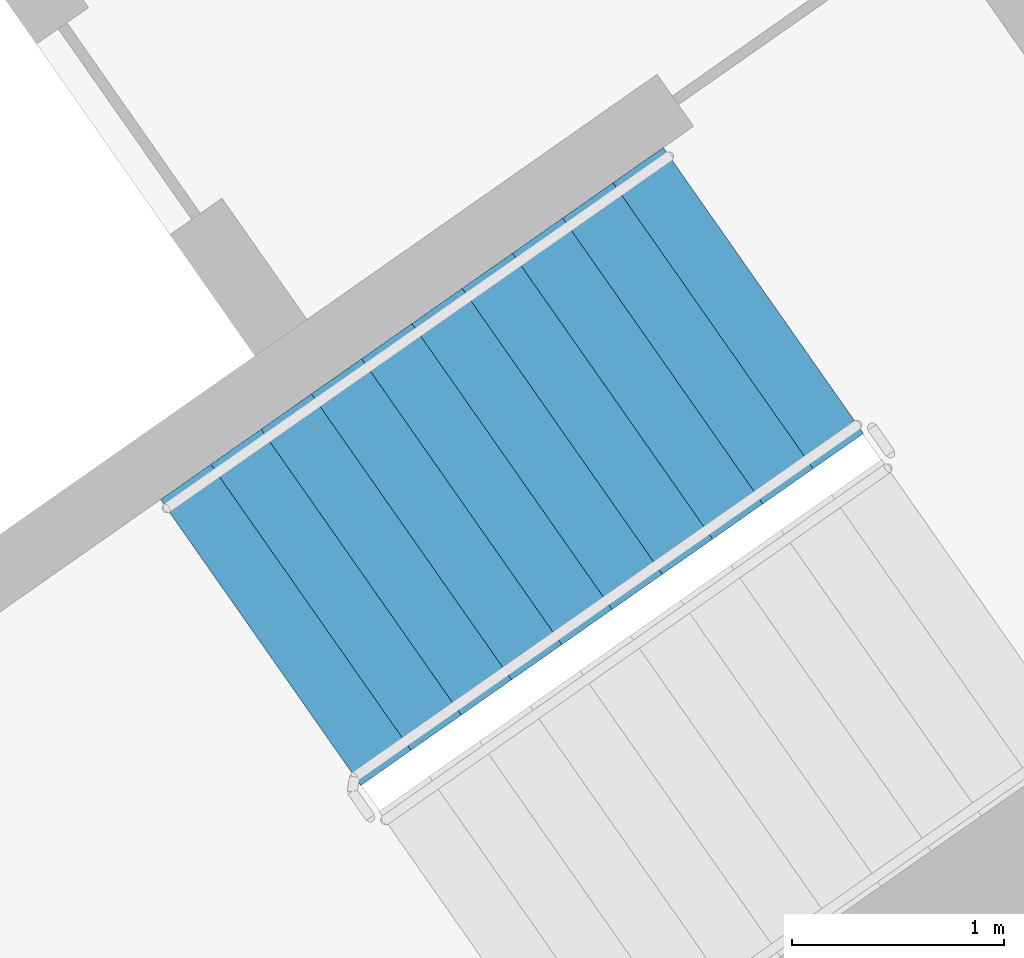
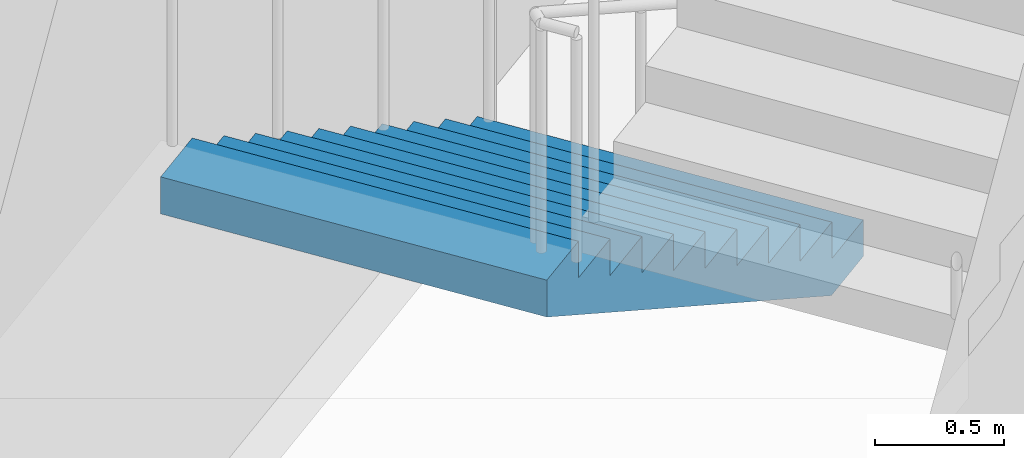
# One storey, part 15 of 28: 1 stair flight, 1 element without a shape of its own.
"""IFC4 building model written with IfcOpenShell, lengths in metres."""

from ifc_helpers import new_model, si_unit, direction, frame, origin, place, context, subcontext, project, spatial, faceted_brep, material, type_object, element, aggregate, save


model = new_model("IFC4")

# Units and contexts
model_context = context("Model", 3, precision=1e-05, world=origin(), true_north=direction((0.0, 1.0)))
body_context = subcontext(model_context, "Body", "Model", "MODEL_VIEW")
ifc_project = project(units=[si_unit("LENGTHUNIT", "METRE"), si_unit("AREAUNIT", "SQUARE_METRE"), si_unit("VOLUMEUNIT", "CUBIC_METRE"), si_unit("PLANEANGLEUNIT", "RADIAN"), si_unit("MASSUNIT", "GRAM", prefix="KILO")], contexts=[model_context])

# Site, building, storey
site_placement = place(None, origin())
site = spatial("IfcSite", under=ifc_project, at=site_placement, CompositionType="ELEMENT")
building_placement = place(site_placement, origin())
building = spatial("IfcBuilding", under=site, at=building_placement, Name="Qamariyya Broadcast Tower", CompositionType="ELEMENT")
storey_placement = place(building_placement, frame((0.0, 0.0, 277.10009765625)))
storey = spatial("IfcBuildingStorey", under=building, at=storey_placement, Name="L67", CompositionType="ELEMENT", Elevation=277.10009765625)

# Stair, stair flight
ifc_material = material(Name="Concrete C50/60", Category="concrete")
stair_type = type_object("IfcStairType", Name="Exit stair 22 risers of 173 mm", PredefinedType="HALF_TURN_STAIR", material=ifc_material)
stair_placement = place(storey_placement, origin())
stair = element("IfcStair", 1, at=stair_placement, inside=storey, type_object=stair_type, Name="L67 Stair E1", PredefinedType="HALF_TURN_STAIR")
stair_flight_type = type_object("IfcStairFlightType", Name="Exit stair flight 11 risers of 173 mm", PredefinedType="STRAIGHT", material=ifc_material)
stair_flight_placement = place(storey_placement, frame((46.036376953125, -55.508056640625, 0.0), z_axis=(0.0, 0.0, 1.0), x_axis=(-0.819152044289, -0.573576436351, 0.0)))
stair_flight = element("IfcStairFlight", 2, at=stair_flight_placement, type_object=stair_flight_type, Name="ST-E1 flight 1", NumberOfRisers=11, NumberOfTreads=10, PredefinedType="STRAIGHT", RiserHeight=0.172727273, TreadLength=0.29, context=body_context, shape_type="Brep", body=[
    faceted_brep([(0.0, 0.824951171875, 0.0), (0.0, 0.824951171875, 0.172607421875), (0.2900390625, 0.824951171875, 0.172607421875), (0.2900390625, 0.824951171875, 0.345458984375), (0.580078125, 0.824951171875, 0.345458984375), (0.580078125, 0.824951171875, 0.51806640625), (0.8701171875, 0.824951171875, 0.51806640625), (0.8701171875, 0.824951171875, 0.69091796875), (1.159912109375, 0.824951171875, 0.69091796875), (1.159912109375, 0.824951171875, 0.863525390625), (1.449951171875, 0.824951171875, 0.863525390625), (1.449951171875, 0.824951171875, 1.036376953125), (1.739990234375, 0.824951171875, 1.036376953125), (1.739990234375, 0.824951171875, 1.208984375), (2.030029296875, 0.824951171875, 1.208984375), (2.030029296875, 0.824951171875, 1.3818359375), (2.320068359375, 0.824951171875, 1.3818359375), (2.320068359375, 0.824951171875, 1.554443359375), (2.610107421875, 0.824951171875, 1.554443359375), (2.610107421875, 0.824951171875, 1.727294921875), (2.89990234375, 0.824951171875, 1.727294921875), (2.89990234375, 0.824951171875, 1.552734375), (0.29296875, 0.824951171875, 0.0), (0.29296875, -0.824951171875, 0.0), (2.89990234375, -0.824951171875, 1.552734375), (2.89990234375, -0.824951171875, 1.727294921875), (2.610107421875, -0.824951171875, 1.727294921875), (2.610107421875, -0.824951171875, 1.554443359375), (2.320068359375, -0.824951171875, 1.554443359375), (2.320068359375, -0.824951171875, 1.3818359375), (2.030029296875, -0.824951171875, 1.3818359375), (2.030029296875, -0.824951171875, 1.208984375), (1.739990234375, -0.824951171875, 1.208984375), (1.739990234375, -0.824951171875, 1.036376953125), (1.449951171875, -0.824951171875, 1.036376953125), (1.449951171875, -0.824951171875, 0.863525390625), (1.159912109375, -0.824951171875, 0.863525390625), (1.159912109375, -0.824951171875, 0.69091796875), (0.8701171875, -0.824951171875, 0.69091796875), (0.8701171875, -0.824951171875, 0.51806640625), (0.580078125, -0.824951171875, 0.51806640625), (0.580078125, -0.824951171875, 0.345458984375), (0.2900390625, -0.824951171875, 0.345458984375), (0.2900390625, -0.824951171875, 0.172607421875), (0.0, -0.824951171875, 0.172607421875), (0.0, -0.824951171875, 0.0), (0.0, 0.10009765625, 0.0), (0.0, 0.086669921875, 0.0), (0.0, 0.0732421875, 0.0), (0.0, 0.06005859375, 0.0), (0.0, 0.046630859375, 0.0), (0.0, 0.033447265625, 0.0), (0.0, 0.02001953125, 0.0), (0.0, 0.006591796875, 0.0), (0.0, -0.006591796875, 0.0), (0.0, -0.02001953125, 0.0), (0.0, -0.033447265625, 0.0), (0.0, -0.046630859375, 0.0), (0.0, -0.06005859375, 0.0), (0.0, -0.0732421875, 0.0), (0.0, -0.086669921875, 0.0), (0.0, -0.10009765625, 0.0), (0.0, -0.10009765625, 0.172607421875), (0.0, -0.086669921875, 0.172607421875), (0.0, -0.0732421875, 0.172607421875), (0.0, -0.06005859375, 0.172607421875), (0.0, -0.046630859375, 0.172607421875), (0.0, -0.033447265625, 0.172607421875), (0.0, -0.02001953125, 0.172607421875), (0.0, -0.006591796875, 0.172607421875), (0.0, 0.006591796875, 0.172607421875), (0.0, 0.02001953125, 0.172607421875), (0.0, 0.033447265625, 0.172607421875), (0.0, 0.046630859375, 0.172607421875), (0.0, 0.06005859375, 0.172607421875), (0.0, 0.0732421875, 0.172607421875), (0.0, 0.086669921875, 0.172607421875), (0.0, 0.10009765625, 0.172607421875), (0.2900390625, -0.10009765625, 0.172607421875), (0.2900390625, -0.086669921875, 0.172607421875), (0.2900390625, -0.0732421875, 0.172607421875), (0.2900390625, -0.06005859375, 0.172607421875), (0.2900390625, -0.046630859375, 0.172607421875), (0.2900390625, -0.033447265625, 0.172607421875), (0.2900390625, -0.02001953125, 0.172607421875), (0.2900390625, -0.006591796875, 0.172607421875), (0.2900390625, 0.006591796875, 0.172607421875), (0.2900390625, 0.02001953125, 0.172607421875), (0.2900390625, 0.033447265625, 0.172607421875), (0.2900390625, 0.046630859375, 0.172607421875), (0.2900390625, 0.06005859375, 0.172607421875), (0.2900390625, 0.0732421875, 0.172607421875), (0.2900390625, 0.086669921875, 0.172607421875), (0.2900390625, 0.10009765625, 0.172607421875), (0.2900390625, -0.10009765625, 0.345458984375), (0.2900390625, -0.086669921875, 0.345458984375), (0.2900390625, -0.0732421875, 0.345458984375), (0.2900390625, -0.06005859375, 0.345458984375), (0.2900390625, -0.046630859375, 0.345458984375), (0.2900390625, -0.033447265625, 0.345458984375), (0.2900390625, -0.02001953125, 0.345458984375), (0.2900390625, -0.006591796875, 0.345458984375), (0.2900390625, 0.006591796875, 0.345458984375), (0.2900390625, 0.02001953125, 0.345458984375), (0.2900390625, 0.033447265625, 0.345458984375), (0.2900390625, 0.046630859375, 0.345458984375), (0.2900390625, 0.06005859375, 0.345458984375), (0.2900390625, 0.0732421875, 0.345458984375), (0.2900390625, 0.086669921875, 0.345458984375), (0.2900390625, 0.10009765625, 0.345458984375), (0.580078125, -0.10009765625, 0.345458984375), (0.580078125, -0.086669921875, 0.345458984375), (0.580078125, -0.0732421875, 0.345458984375), (0.580078125, -0.06005859375, 0.345458984375), (0.580078125, -0.046630859375, 0.345458984375), (0.580078125, -0.033447265625, 0.345458984375), (0.580078125, -0.02001953125, 0.345458984375), (0.580078125, -0.006591796875, 0.345458984375), (0.580078125, 0.006591796875, 0.345458984375), (0.580078125, 0.02001953125, 0.345458984375), (0.580078125, 0.033447265625, 0.345458984375), (0.580078125, 0.046630859375, 0.345458984375), (0.580078125, 0.06005859375, 0.345458984375), (0.580078125, 0.0732421875, 0.345458984375), (0.580078125, 0.086669921875, 0.345458984375), (0.580078125, 0.10009765625, 0.345458984375), (0.580078125, -0.10009765625, 0.51806640625), (0.580078125, -0.086669921875, 0.51806640625), (0.580078125, -0.0732421875, 0.51806640625), (0.580078125, -0.06005859375, 0.51806640625), (0.580078125, -0.046630859375, 0.51806640625), (0.580078125, -0.033447265625, 0.51806640625), (0.580078125, -0.02001953125, 0.51806640625), (0.580078125, -0.006591796875, 0.51806640625), (0.580078125, 0.006591796875, 0.51806640625), (0.580078125, 0.02001953125, 0.51806640625), (0.580078125, 0.033447265625, 0.51806640625), (0.580078125, 0.046630859375, 0.51806640625), (0.580078125, 0.06005859375, 0.51806640625), (0.580078125, 0.0732421875, 0.51806640625), (0.580078125, 0.086669921875, 0.51806640625), (0.580078125, 0.10009765625, 0.51806640625), (0.8701171875, -0.10009765625, 0.51806640625), (0.8701171875, -0.086669921875, 0.51806640625), (0.8701171875, -0.0732421875, 0.51806640625), (0.8701171875, -0.06005859375, 0.51806640625), (0.8701171875, -0.046630859375, 0.51806640625), (0.8701171875, -0.033447265625, 0.51806640625), (0.8701171875, -0.02001953125, 0.51806640625), (0.8701171875, -0.006591796875, 0.51806640625), (0.8701171875, 0.006591796875, 0.51806640625), (0.8701171875, 0.02001953125, 0.51806640625), (0.8701171875, 0.033447265625, 0.51806640625), (0.8701171875, 0.046630859375, 0.51806640625), (0.8701171875, 0.06005859375, 0.51806640625), (0.8701171875, 0.0732421875, 0.51806640625), (0.8701171875, 0.086669921875, 0.51806640625), (0.8701171875, 0.10009765625, 0.51806640625), (0.8701171875, -0.10009765625, 0.69091796875), (0.8701171875, -0.086669921875, 0.69091796875), (0.8701171875, -0.0732421875, 0.69091796875), (0.8701171875, -0.06005859375, 0.69091796875), (0.8701171875, -0.046630859375, 0.69091796875), (0.8701171875, -0.033447265625, 0.69091796875), (0.8701171875, -0.02001953125, 0.69091796875), (0.8701171875, -0.006591796875, 0.69091796875), (0.8701171875, 0.006591796875, 0.69091796875), (0.8701171875, 0.02001953125, 0.69091796875), (0.8701171875, 0.033447265625, 0.69091796875), (0.8701171875, 0.046630859375, 0.69091796875), (0.8701171875, 0.06005859375, 0.69091796875), (0.8701171875, 0.0732421875, 0.69091796875), (0.8701171875, 0.086669921875, 0.69091796875), (0.8701171875, 0.10009765625, 0.69091796875), (1.159912109375, -0.10009765625, 0.69091796875), (1.159912109375, -0.086669921875, 0.69091796875), (1.159912109375, -0.0732421875, 0.69091796875), (1.159912109375, -0.06005859375, 0.69091796875), (1.159912109375, -0.046630859375, 0.69091796875), (1.159912109375, -0.033447265625, 0.69091796875), (1.159912109375, -0.02001953125, 0.69091796875), (1.159912109375, -0.006591796875, 0.69091796875), (1.159912109375, 0.006591796875, 0.69091796875), (1.159912109375, 0.02001953125, 0.69091796875), (1.159912109375, 0.033447265625, 0.69091796875), (1.159912109375, 0.046630859375, 0.69091796875), (1.159912109375, 0.06005859375, 0.69091796875), (1.159912109375, 0.0732421875, 0.69091796875), (1.159912109375, 0.086669921875, 0.69091796875), (1.159912109375, 0.10009765625, 0.69091796875), (1.159912109375, -0.10009765625, 0.863525390625), (1.159912109375, -0.086669921875, 0.863525390625), (1.159912109375, -0.0732421875, 0.863525390625), (1.159912109375, -0.06005859375, 0.863525390625), (1.159912109375, -0.046630859375, 0.863525390625), (1.159912109375, -0.033447265625, 0.863525390625), (1.159912109375, -0.02001953125, 0.863525390625), (1.159912109375, -0.006591796875, 0.863525390625), (1.159912109375, 0.006591796875, 0.863525390625), (1.159912109375, 0.02001953125, 0.863525390625), (1.159912109375, 0.033447265625, 0.863525390625), (1.159912109375, 0.046630859375, 0.863525390625), (1.159912109375, 0.06005859375, 0.863525390625), (1.159912109375, 0.0732421875, 0.863525390625), (1.159912109375, 0.086669921875, 0.863525390625), (1.159912109375, 0.10009765625, 0.863525390625), (1.449951171875, -0.10009765625, 0.863525390625), (1.449951171875, -0.086669921875, 0.863525390625), (1.449951171875, -0.0732421875, 0.863525390625), (1.449951171875, -0.06005859375, 0.863525390625), (1.449951171875, -0.046630859375, 0.863525390625), (1.449951171875, -0.033447265625, 0.863525390625), (1.449951171875, -0.02001953125, 0.863525390625), (1.449951171875, -0.006591796875, 0.863525390625), (1.449951171875, 0.006591796875, 0.863525390625), (1.449951171875, 0.02001953125, 0.863525390625), (1.449951171875, 0.033447265625, 0.863525390625), (1.449951171875, 0.046630859375, 0.863525390625), (1.449951171875, 0.06005859375, 0.863525390625), (1.449951171875, 0.0732421875, 0.863525390625), (1.449951171875, 0.086669921875, 0.863525390625), (1.449951171875, 0.10009765625, 0.863525390625), (1.449951171875, -0.10009765625, 1.036376953125), (1.449951171875, -0.086669921875, 1.036376953125), (1.449951171875, -0.0732421875, 1.036376953125), (1.449951171875, -0.06005859375, 1.036376953125), (1.449951171875, -0.046630859375, 1.036376953125), (1.449951171875, -0.033447265625, 1.036376953125), (1.449951171875, -0.02001953125, 1.036376953125), (1.449951171875, -0.006591796875, 1.036376953125), (1.449951171875, 0.006591796875, 1.036376953125), (1.449951171875, 0.02001953125, 1.036376953125), (1.449951171875, 0.033447265625, 1.036376953125), (1.449951171875, 0.046630859375, 1.036376953125), (1.449951171875, 0.06005859375, 1.036376953125), (1.449951171875, 0.0732421875, 1.036376953125), (1.449951171875, 0.086669921875, 1.036376953125), (1.449951171875, 0.10009765625, 1.036376953125), (1.739990234375, -0.10009765625, 1.036376953125), (1.739990234375, -0.086669921875, 1.036376953125), (1.739990234375, -0.0732421875, 1.036376953125), (1.739990234375, -0.06005859375, 1.036376953125), (1.739990234375, -0.046630859375, 1.036376953125), (1.739990234375, -0.033447265625, 1.036376953125), (1.739990234375, -0.02001953125, 1.036376953125), (1.739990234375, -0.006591796875, 1.036376953125), (1.739990234375, 0.006591796875, 1.036376953125), (1.739990234375, 0.02001953125, 1.036376953125), (1.739990234375, 0.033447265625, 1.036376953125), (1.739990234375, 0.046630859375, 1.036376953125), (1.739990234375, 0.06005859375, 1.036376953125), (1.739990234375, 0.0732421875, 1.036376953125), (1.739990234375, 0.086669921875, 1.036376953125), (1.739990234375, 0.10009765625, 1.036376953125), (1.739990234375, -0.10009765625, 1.208984375), (1.739990234375, -0.086669921875, 1.208984375), (1.739990234375, -0.0732421875, 1.208984375), (1.739990234375, -0.06005859375, 1.208984375), (1.739990234375, -0.046630859375, 1.208984375), (1.739990234375, -0.033447265625, 1.208984375), (1.739990234375, -0.02001953125, 1.208984375), (1.739990234375, -0.006591796875, 1.208984375), (1.739990234375, 0.006591796875, 1.208984375), (1.739990234375, 0.02001953125, 1.208984375), (1.739990234375, 0.033447265625, 1.208984375), (1.739990234375, 0.046630859375, 1.208984375), (1.739990234375, 0.06005859375, 1.208984375), (1.739990234375, 0.0732421875, 1.208984375), (1.739990234375, 0.086669921875, 1.208984375), (1.739990234375, 0.10009765625, 1.208984375), (2.030029296875, -0.10009765625, 1.208984375), (2.030029296875, -0.086669921875, 1.208984375), (2.030029296875, -0.0732421875, 1.208984375), (2.030029296875, -0.06005859375, 1.208984375), (2.030029296875, -0.046630859375, 1.208984375), (2.030029296875, -0.033447265625, 1.208984375), (2.030029296875, -0.02001953125, 1.208984375), (2.030029296875, -0.006591796875, 1.208984375), (2.030029296875, 0.006591796875, 1.208984375), (2.030029296875, 0.02001953125, 1.208984375), (2.030029296875, 0.033447265625, 1.208984375), (2.030029296875, 0.046630859375, 1.208984375), (2.030029296875, 0.06005859375, 1.208984375), (2.030029296875, 0.0732421875, 1.208984375), (2.030029296875, 0.086669921875, 1.208984375), (2.030029296875, 0.10009765625, 1.208984375), (2.030029296875, -0.10009765625, 1.3818359375), (2.030029296875, -0.086669921875, 1.3818359375), (2.030029296875, -0.0732421875, 1.3818359375), (2.030029296875, -0.06005859375, 1.3818359375), (2.030029296875, -0.046630859375, 1.3818359375), (2.030029296875, -0.033447265625, 1.3818359375), (2.030029296875, -0.02001953125, 1.3818359375), (2.030029296875, -0.006591796875, 1.3818359375), (2.030029296875, 0.006591796875, 1.3818359375), (2.030029296875, 0.02001953125, 1.3818359375), (2.030029296875, 0.033447265625, 1.3818359375), (2.030029296875, 0.046630859375, 1.3818359375), (2.030029296875, 0.06005859375, 1.3818359375), (2.030029296875, 0.0732421875, 1.3818359375), (2.030029296875, 0.086669921875, 1.3818359375), (2.030029296875, 0.10009765625, 1.3818359375), (2.320068359375, -0.10009765625, 1.3818359375), (2.320068359375, -0.086669921875, 1.3818359375), (2.320068359375, -0.0732421875, 1.3818359375), (2.320068359375, -0.06005859375, 1.3818359375), (2.320068359375, -0.046630859375, 1.3818359375), (2.320068359375, -0.033447265625, 1.3818359375), (2.320068359375, -0.02001953125, 1.3818359375), (2.320068359375, -0.006591796875, 1.3818359375), (2.320068359375, 0.006591796875, 1.3818359375), (2.320068359375, 0.02001953125, 1.3818359375), (2.320068359375, 0.033447265625, 1.3818359375), (2.320068359375, 0.046630859375, 1.3818359375), (2.320068359375, 0.06005859375, 1.3818359375), (2.320068359375, 0.0732421875, 1.3818359375), (2.320068359375, 0.086669921875, 1.3818359375), (2.320068359375, 0.10009765625, 1.3818359375), (2.320068359375, -0.10009765625, 1.554443359375), (2.320068359375, -0.086669921875, 1.554443359375), (2.320068359375, -0.0732421875, 1.554443359375), (2.320068359375, -0.06005859375, 1.554443359375), (2.320068359375, -0.046630859375, 1.554443359375), (2.320068359375, -0.033447265625, 1.554443359375), (2.320068359375, -0.02001953125, 1.554443359375), (2.320068359375, -0.006591796875, 1.554443359375), (2.320068359375, 0.006591796875, 1.554443359375), (2.320068359375, 0.02001953125, 1.554443359375), (2.320068359375, 0.033447265625, 1.554443359375), (2.320068359375, 0.046630859375, 1.554443359375), (2.320068359375, 0.06005859375, 1.554443359375), (2.320068359375, 0.0732421875, 1.554443359375), (2.320068359375, 0.086669921875, 1.554443359375), (2.320068359375, 0.10009765625, 1.554443359375), (2.610107421875, -0.10009765625, 1.554443359375), (2.610107421875, -0.086669921875, 1.554443359375), (2.610107421875, -0.0732421875, 1.554443359375), (2.610107421875, -0.06005859375, 1.554443359375), (2.610107421875, -0.046630859375, 1.554443359375), (2.610107421875, -0.033447265625, 1.554443359375), (2.610107421875, -0.02001953125, 1.554443359375), (2.610107421875, -0.006591796875, 1.554443359375), (2.610107421875, 0.006591796875, 1.554443359375), (2.610107421875, 0.02001953125, 1.554443359375), (2.610107421875, 0.033447265625, 1.554443359375), (2.610107421875, 0.046630859375, 1.554443359375), (2.610107421875, 0.06005859375, 1.554443359375), (2.610107421875, 0.0732421875, 1.554443359375), (2.610107421875, 0.086669921875, 1.554443359375), (2.610107421875, 0.10009765625, 1.554443359375), (2.610107421875, -0.10009765625, 1.727294921875), (2.610107421875, -0.086669921875, 1.727294921875), (2.610107421875, -0.0732421875, 1.727294921875), (2.610107421875, -0.06005859375, 1.727294921875), (2.610107421875, -0.046630859375, 1.727294921875), (2.610107421875, -0.033447265625, 1.727294921875), (2.610107421875, -0.02001953125, 1.727294921875), (2.610107421875, -0.006591796875, 1.727294921875), (2.610107421875, 0.006591796875, 1.727294921875), (2.610107421875, 0.02001953125, 1.727294921875), (2.610107421875, 0.033447265625, 1.727294921875), (2.610107421875, 0.046630859375, 1.727294921875), (2.610107421875, 0.06005859375, 1.727294921875), (2.610107421875, 0.0732421875, 1.727294921875), (2.610107421875, 0.086669921875, 1.727294921875), (2.610107421875, 0.10009765625, 1.727294921875), (2.89990234375, -0.10009765625, 1.727294921875), (2.89990234375, -0.086669921875, 1.727294921875), (2.89990234375, -0.0732421875, 1.727294921875), (2.89990234375, -0.06005859375, 1.727294921875), (2.89990234375, -0.046630859375, 1.727294921875), (2.89990234375, -0.033447265625, 1.727294921875), (2.89990234375, -0.02001953125, 1.727294921875), (2.89990234375, -0.006591796875, 1.727294921875), (2.89990234375, 0.006591796875, 1.727294921875), (2.89990234375, 0.02001953125, 1.727294921875), (2.89990234375, 0.033447265625, 1.727294921875), (2.89990234375, 0.046630859375, 1.727294921875), (2.89990234375, 0.06005859375, 1.727294921875), (2.89990234375, 0.0732421875, 1.727294921875), (2.89990234375, 0.086669921875, 1.727294921875), (2.89990234375, 0.10009765625, 1.727294921875), (2.89990234375, -0.10009765625, 1.552734375), (2.89990234375, -0.086669921875, 1.552734375), (2.89990234375, -0.0732421875, 1.552734375), (2.89990234375, -0.06005859375, 1.552734375), (2.89990234375, -0.046630859375, 1.552734375), (2.89990234375, -0.033447265625, 1.552734375), (2.89990234375, -0.02001953125, 1.552734375), (2.89990234375, -0.006591796875, 1.552734375), (2.89990234375, 0.006591796875, 1.552734375), (2.89990234375, 0.02001953125, 1.552734375), (2.89990234375, 0.033447265625, 1.552734375), (2.89990234375, 0.046630859375, 1.552734375), (2.89990234375, 0.06005859375, 1.552734375), (2.89990234375, 0.0732421875, 1.552734375), (2.89990234375, 0.086669921875, 1.552734375), (2.89990234375, 0.10009765625, 1.552734375), (0.29296875, -0.10009765625, 0.0), (0.29296875, -0.086669921875, 0.0), (0.29296875, -0.0732421875, 0.0), (0.29296875, -0.06005859375, 0.0), (0.29296875, -0.046630859375, 0.0), (0.29296875, -0.033447265625, 0.0), (0.29296875, -0.02001953125, 0.0), (0.29296875, -0.006591796875, 0.0), (0.29296875, 0.006591796875, 0.0), (0.29296875, 0.02001953125, 0.0), (0.29296875, 0.033447265625, 0.0), (0.29296875, 0.046630859375, 0.0), (0.29296875, 0.06005859375, 0.0), (0.29296875, 0.0732421875, 0.0), (0.29296875, 0.086669921875, 0.0), (0.29296875, 0.10009765625, 0.0)], [[[0, 1, 2, 3, 4, 5, 6, 7, 8, 9, 10, 11, 12, 13, 14, 15, 16, 17, 18, 19, 20, 21, 22]], [[23, 24, 25, 26, 27, 28, 29, 30, 31, 32, 33, 34, 35, 36, 37, 38, 39, 40, 41, 42, 43, 44, 45]], [[0, 46, 47, 48, 49, 50, 51, 52, 53, 54, 55, 56, 57, 58, 59, 60, 61, 45, 44, 62, 63, 64, 65, 66, 67, 68, 69, 70, 71, 72, 73, 74, 75, 76, 77, 1]], [[1, 77, 76, 75, 74, 73, 72, 71, 70, 69, 68, 67, 66, 65, 64, 63, 62, 44, 43, 78, 79, 80, 81, 82, 83, 84, 85, 86, 87, 88, 89, 90, 91, 92, 93, 2]], [[2, 93, 92, 91, 90, 89, 88, 87, 86, 85, 84, 83, 82, 81, 80, 79, 78, 43, 42, 94, 95, 96, 97, 98, 99, 100, 101, 102, 103, 104, 105, 106, 107, 108, 109, 3]], [[3, 109, 108, 107, 106, 105, 104, 103, 102, 101, 100, 99, 98, 97, 96, 95, 94, 42, 41, 110, 111, 112, 113, 114, 115, 116, 117, 118, 119, 120, 121, 122, 123, 124, 125, 4]], [[4, 125, 124, 123, 122, 121, 120, 119, 118, 117, 116, 115, 114, 113, 112, 111, 110, 41, 40, 126, 127, 128, 129, 130, 131, 132, 133, 134, 135, 136, 137, 138, 139, 140, 141, 5]], [[5, 141, 140, 139, 138, 137, 136, 135, 134, 133, 132, 131, 130, 129, 128, 127, 126, 40, 39, 142, 143, 144, 145, 146, 147, 148, 149, 150, 151, 152, 153, 154, 155, 156, 157, 6]], [[6, 157, 156, 155, 154, 153, 152, 151, 150, 149, 148, 147, 146, 145, 144, 143, 142, 39, 38, 158, 159, 160, 161, 162, 163, 164, 165, 166, 167, 168, 169, 170, 171, 172, 173, 7]], [[7, 173, 172, 171, 170, 169, 168, 167, 166, 165, 164, 163, 162, 161, 160, 159, 158, 38, 37, 174, 175, 176, 177, 178, 179, 180, 181, 182, 183, 184, 185, 186, 187, 188, 189, 8]], [[8, 189, 188, 187, 186, 185, 184, 183, 182, 181, 180, 179, 178, 177, 176, 175, 174, 37, 36, 190, 191, 192, 193, 194, 195, 196, 197, 198, 199, 200, 201, 202, 203, 204, 205, 9]], [[9, 205, 204, 203, 202, 201, 200, 199, 198, 197, 196, 195, 194, 193, 192, 191, 190, 36, 35, 206, 207, 208, 209, 210, 211, 212, 213, 214, 215, 216, 217, 218, 219, 220, 221, 10]], [[10, 221, 220, 219, 218, 217, 216, 215, 214, 213, 212, 211, 210, 209, 208, 207, 206, 35, 34, 222, 223, 224, 225, 226, 227, 228, 229, 230, 231, 232, 233, 234, 235, 236, 237, 11]], [[11, 237, 236, 235, 234, 233, 232, 231, 230, 229, 228, 227, 226, 225, 224, 223, 222, 34, 33, 238, 239, 240, 241, 242, 243, 244, 245, 246, 247, 248, 249, 250, 251, 252, 253, 12]], [[12, 253, 252, 251, 250, 249, 248, 247, 246, 245, 244, 243, 242, 241, 240, 239, 238, 33, 32, 254, 255, 256, 257, 258, 259, 260, 261, 262, 263, 264, 265, 266, 267, 268, 269, 13]], [[13, 269, 268, 267, 266, 265, 264, 263, 262, 261, 260, 259, 258, 257, 256, 255, 254, 32, 31, 270, 271, 272, 273, 274, 275, 276, 277, 278, 279, 280, 281, 282, 283, 284, 285, 14]], [[14, 285, 284, 283, 282, 281, 280, 279, 278, 277, 276, 275, 274, 273, 272, 271, 270, 31, 30, 286, 287, 288, 289, 290, 291, 292, 293, 294, 295, 296, 297, 298, 299, 300, 301, 15]], [[15, 301, 300, 299, 298, 297, 296, 295, 294, 293, 292, 291, 290, 289, 288, 287, 286, 30, 29, 302, 303, 304, 305, 306, 307, 308, 309, 310, 311, 312, 313, 314, 315, 316, 317, 16]], [[16, 317, 316, 315, 314, 313, 312, 311, 310, 309, 308, 307, 306, 305, 304, 303, 302, 29, 28, 318, 319, 320, 321, 322, 323, 324, 325, 326, 327, 328, 329, 330, 331, 332, 333, 17]], [[17, 333, 332, 331, 330, 329, 328, 327, 326, 325, 324, 323, 322, 321, 320, 319, 318, 28, 27, 334, 335, 336, 337, 338, 339, 340, 341, 342, 343, 344, 345, 346, 347, 348, 349, 18]], [[18, 349, 348, 347, 346, 345, 344, 343, 342, 341, 340, 339, 338, 337, 336, 335, 334, 27, 26, 350, 351, 352, 353, 354, 355, 356, 357, 358, 359, 360, 361, 362, 363, 364, 365, 19]], [[19, 365, 364, 363, 362, 361, 360, 359, 358, 357, 356, 355, 354, 353, 352, 351, 350, 26, 25, 366, 367, 368, 369, 370, 371, 372, 373, 374, 375, 376, 377, 378, 379, 380, 381, 20]], [[20, 381, 380, 379, 378, 377, 376, 375, 374, 373, 372, 371, 370, 369, 368, 367, 366, 25, 24, 382, 383, 384, 385, 386, 387, 388, 389, 390, 391, 392, 393, 394, 395, 396, 397, 21]], [[21, 397, 396, 395, 394, 393, 392, 391, 390, 389, 388, 387, 386, 385, 384, 383, 382, 24, 23, 398, 399, 400, 401, 402, 403, 404, 405, 406, 407, 408, 409, 410, 411, 412, 413, 22]], [[22, 413, 412, 411, 410, 409, 408, 407, 406, 405, 404, 403, 402, 401, 400, 399, 398, 23, 45, 61, 60, 59, 58, 57, 56, 55, 54, 53, 52, 51, 50, 49, 48, 47, 46, 0]]]),
])
aggregate(stair, [stair_flight])

save(model, "model.ifc")
